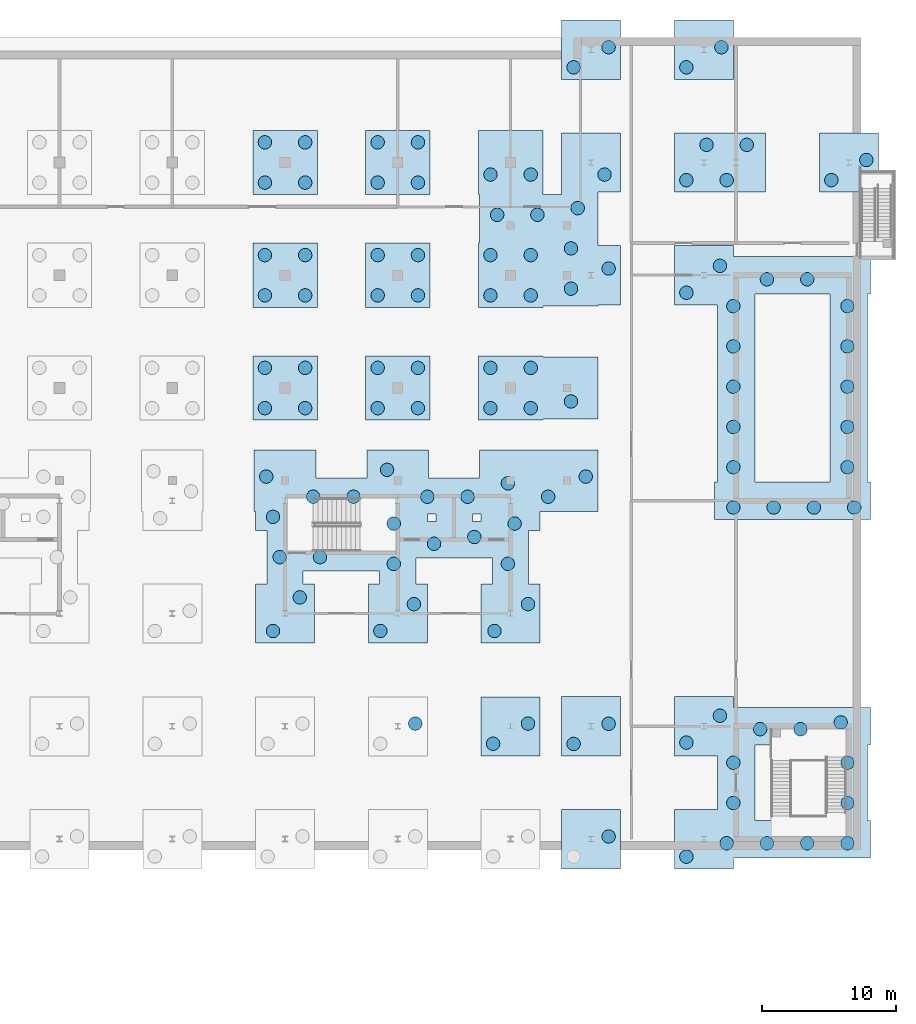
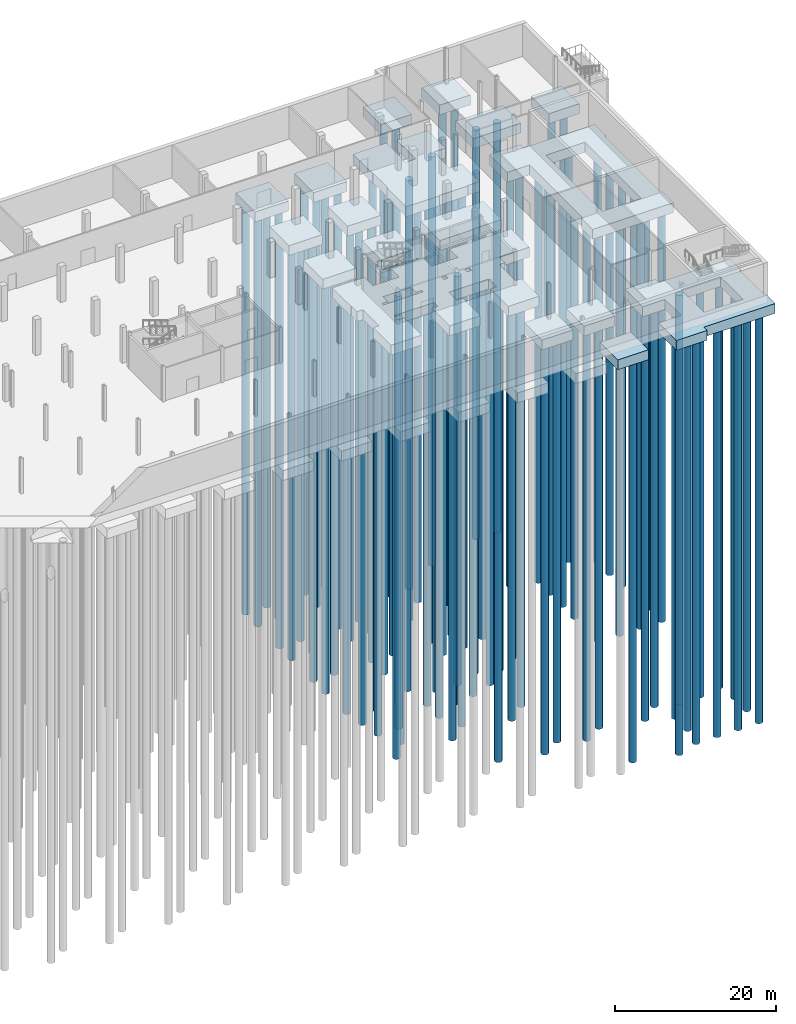
# One storey, part 4 of 29: 114 piles, 18 footings.
"""IFC4 building model written with IfcOpenShell, lengths in metres."""

from ifc_helpers import new_model, si_unit, direction, frame, origin, origin_2d, place, context, subcontext, project, spatial, polyline, circle, outline, extrude, material, type_object, element, save


model = new_model("IFC4")

# Units and contexts
model_context = context("Model", 3, precision=1e-05, world=origin(), true_north=direction((0.0, 1.0)))
body_context = subcontext(model_context, "Body", "Model", "MODEL_VIEW")
ifc_project = project(units=[si_unit("LENGTHUNIT", "METRE"), si_unit("AREAUNIT", "SQUARE_METRE"), si_unit("VOLUMEUNIT", "CUBIC_METRE"), si_unit("PLANEANGLEUNIT", "RADIAN"), si_unit("MASSUNIT", "GRAM", prefix="KILO")], contexts=[model_context])

# Site, building, storey
site_placement = place(None, origin())
site = spatial("IfcSite", under=ifc_project, at=site_placement, CompositionType="ELEMENT")
building_placement = place(site_placement, origin())
building = spatial("IfcBuilding", under=site, at=building_placement, Name="Cresset Court Congress Hotel", CompositionType="ELEMENT")
storey_placement = place(building_placement, frame((0.0, 0.0, -5.39990234375)))
storey = spatial("IfcBuildingStorey", under=building, at=storey_placement, Name="B1", CompositionType="ELEMENT", Elevation=-5.39990234375)

# Piles
ifc_material_1 = material(Name="Concrete C35", Category="concrete")
pile_type = type_object("IfcPileType", Name="Bored pile D1000", PredefinedType="BORED", material=ifc_material_1)
for number, where, z_axis, x_axis, name in (
    (1, (132.89990234375, 32.10009765625, -2.60009765625), (0.0, 0.0, -1.0), (1.0, 0.0, 0.0), "Pile 098-1"),
    (2, (135.89990234375, 32.10009765625, -2.60009765625), (0.0, 0.0, -1.0), (1.0, 0.0, 0.0), "Pile 098-2"),
    (3, (132.89990234375, 35.10009765625, -2.60009765625), (0.0, 0.0, -1.0), (1.0, 0.0, 0.0), "Pile 098-3"),
    (4, (135.89990234375, 35.10009765625, -2.60009765625), (0.0, 0.0, -1.0), (1.0, 0.0, 0.0), "Pile 098-4"),
    (5, (132.89990234375, 40.5, -2.60009765625), (0.0, 0.0, -1.0), (1.0, 0.0, 0.0), "Pile 099-1"),
    (6, (135.89990234375, 40.5, -2.60009765625), (0.0, 0.0, -1.0), (1.0, 0.0, 0.0), "Pile 099-2"),
    (7, (132.89990234375, 43.5, -2.60009765625), (0.0, 0.0, -1.0), (1.0, 0.0, 0.0), "Pile 099-3"),
    (8, (135.89990234375, 43.5, -2.60009765625), (0.0, 0.0, -1.0), (1.0, 0.0, 0.0), "Pile 099-4"),
    (9, (132.89990234375, 48.89990234375, -2.60009765625), (0.0, 0.0, -1.0), (1.0, 0.0, 0.0), "Pile 100-1"),
    (10, (135.89990234375, 48.89990234375, -2.60009765625), (0.0, 0.0, -1.0), (1.0, 0.0, 0.0), "Pile 100-2"),
    (11, (132.89990234375, 51.89990234375, -2.60009765625), (0.0, 0.0, -1.0), (1.0, 0.0, 0.0), "Pile 100-3"),
    (12, (135.89990234375, 51.89990234375, -2.60009765625), (0.0, 0.0, -1.0), (1.0, 0.0, 0.0), "Pile 100-4"),
    (13, (133.5, 15.5, -2.60009765625), (0.0, 0.0, -1.0), (1.0, 0.0, 0.0), "Pile 101-1"),
    (14, (141.5, 15.5, -2.60009765625), (0.0, 0.0, -1.0), (1.0, 0.0, 0.0), "Pile 101-2"),
    (15, (150.0, 15.5, -2.60009765625), (0.0, 0.0, -1.0), (1.0, 0.0, 0.0), "Pile 101-3"),
    (16, (144.0, 17.5, -2.60009765625), (0.0, 0.0, -1.0), (1.0, 0.0, 0.0), "Pile 101-4"),
    (17, (152.5, 17.5, -2.60009765625), (0.0, 0.0, -1.0), (1.0, 0.0, 0.0), "Pile 101-5"),
    (18, (135.5, 18.0, -2.60009765625), (0.0, 0.0, -1.0), (1.0, 0.0, 0.0), "Pile 101-6"),
    (19, (142.5, 20.5, -2.60009765625), (0.0, 0.0, -1.0), (1.0, 0.0, 0.0), "Pile 101-7"),
    (20, (151.0, 20.5, -2.60009765625), (0.0, 0.0, -1.0), (1.0, 0.0, 0.0), "Pile 101-8"),
    (21, (134.0, 21.0, -2.60009765625), (0.0, 0.0, -1.0), (1.0, 0.0, 0.0), "Pile 101-9"),
    (22, (137.0, 21.0, -2.60009765625), (0.0, 0.0, -1.0), (1.0, 0.0, 0.0), "Pile 101-10"),
    (23, (145.5, 22.0, -2.60009765625), (0.0, 0.0, -1.0), (1.0, 0.0, 0.0), "Pile 101-11"),
    (24, (148.5, 22.5, -2.60009765625), (0.0, 0.0, -1.0), (1.0, 0.0, 0.0), "Pile 101-12"),
    (25, (142.5, 23.5, -2.60009765625), (0.0, 0.0, -1.0), (1.0, 0.0, 0.0), "Pile 101-13"),
    (26, (151.5, 23.5, -2.60009765625), (0.0, 0.0, -1.0), (1.0, 0.0, 0.0), "Pile 101-14"),
    (27, (133.5, 24.0, -2.60009765625), (0.0, 0.0, -1.0), (1.0, 0.0, 0.0), "Pile 101-15"),
    (28, (136.5, 25.5, -2.60009765625), (0.0, 0.0, -1.0), (1.0, 0.0, 0.0), "Pile 101-16"),
    (29, (139.5, 25.5, -2.60009765625), (0.0, 0.0, -1.0), (1.0, 0.0, 0.0), "Pile 101-17"),
    (30, (145.0, 25.5, -2.60009765625), (0.0, 0.0, -1.0), (1.0, 0.0, 0.0), "Pile 101-18"),
    (31, (148.0, 25.5, -2.60009765625), (0.0, 0.0, -1.0), (1.0, 0.0, 0.0), "Pile 101-19"),
    (32, (154.0, 25.5, -2.60009765625), (0.0, 0.0, -1.0), (1.0, 0.0, 0.0), "Pile 101-20"),
    (33, (151.0, 26.5, -2.60009765625), (0.0, 0.0, -1.0), (1.0, 0.0, 0.0), "Pile 101-21"),
    (34, (133.0, 27.0, -2.60009765625), (0.0, 0.0, -1.0), (1.0, 0.0, 0.0), "Pile 101-22"),
    (35, (156.800048828125, 27.0, -2.60009765625), (0.0, 0.0, -1.0), (1.0, 0.0, 0.0), "Pile 101-23"),
    (36, (142.0, 27.5, -2.60009765625), (0.0, 0.0, -1.0), (1.0, 0.0, 0.0), "Pile 101-24"),
    (37, (141.300048828125, 32.10009765625, -2.60009765625), (0.0, 0.0, -1.0), (1.0, 0.0, 0.0), "Pile 104-1"),
    (38, (144.300048828125, 32.10009765625, -2.60009765625), (0.0, 0.0, -1.0), (1.0, 0.0, 0.0), "Pile 104-2"),
    (39, (141.300048828125, 35.10009765625, -2.60009765625), (0.0, 0.0, -1.0), (1.0, 0.0, 0.0), "Pile 104-3"),
    (40, (144.300048828125, 35.10009765625, -2.60009765625), (0.0, 0.0, -1.0), (1.0, 0.0, 0.0), "Pile 104-4"),
    (41, (141.300048828125, 40.5, -2.60009765625), (0.0, 0.0, -1.0), (1.0, 0.0, 0.0), "Pile 105-1"),
    (42, (144.300048828125, 40.5, -2.60009765625), (0.0, 0.0, -1.0), (1.0, 0.0, 0.0), "Pile 105-2"),
    (43, (141.300048828125, 43.5, -2.60009765625), (0.0, 0.0, -1.0), (1.0, 0.0, 0.0), "Pile 105-3"),
    (44, (144.300048828125, 43.5, -2.60009765625), (0.0, 0.0, -1.0), (1.0, 0.0, 0.0), "Pile 105-4"),
    (45, (141.300048828125, 48.89990234375, -2.60009765625), (0.0, 0.0, -1.0), (1.0, 0.0, 0.0), "Pile 106-1"),
    (46, (144.300048828125, 48.89990234375, -2.60009765625), (0.0, 0.0, -1.0), (1.0, 0.0, 0.0), "Pile 106-2"),
    (47, (141.300048828125, 51.89990234375, -2.60009765625), (0.0, 0.0, -1.0), (1.0, 0.0, 0.0), "Pile 106-3"),
    (48, (144.300048828125, 51.89990234375, -2.60009765625), (0.0, 0.0, -1.0), (1.0, 0.0, 0.0), "Pile 106-4"),
    (49, (144.10009765625, 8.60009765625, -2.60009765625), (0.0, 0.0, -1.0), (1.0, 0.0, 0.0), "Pile 108-2"),
    (50, (149.699951171875, 32.10009765625, -2.60009765625), (0.0, 0.0, -1.0), (1.0, 0.0, 0.0), "Pile 109-1"),
    (51, (152.699951171875, 32.10009765625, -2.60009765625), (0.0, 0.0, -1.0), (1.0, 0.0, 0.0), "Pile 109-2"),
    (52, (155.699951171875, 32.60009765625, -2.60009765625), (0.0, 0.0, -1.0), (1.0, 0.0, 0.0), "Pile 109-3"),
    (53, (149.699951171875, 35.10009765625, -2.60009765625), (0.0, 0.0, -1.0), (1.0, 0.0, 0.0), "Pile 109-4"),
    (54, (152.699951171875, 35.10009765625, -2.60009765625), (0.0, 0.0, -1.0), (1.0, 0.0, 0.0), "Pile 109-5"),
    (55, (149.699951171875, 40.5, -2.60009765625), (0.0, 0.0, -1.0), (1.0, 0.0, 0.0), "Pile 110-1"),
    (56, (152.699951171875, 40.5, -2.60009765625), (0.0, 0.0, -1.0), (1.0, 0.0, 0.0), "Pile 110-2"),
    (57, (155.699951171875, 41.0, -2.60009765625), (0.0, 0.0, -1.0), (1.0, 0.0, 0.0), "Pile 110-3"),
    (58, (158.50341796875, 42.5, -2.60009765625), (0.0, 0.0, -1.0), (1.0, 0.0, 0.0), "Pile 110-4"),
    (59, (149.699951171875, 43.5, -2.60009765625), (0.0, 0.0, -1.0), (1.0, 0.0, 0.0), "Pile 110-5"),
    (60, (152.699951171875, 43.5, -2.60009765625), (0.0, 0.0, -1.0), (1.0, 0.0, 0.0), "Pile 110-6"),
    (61, (155.699951171875, 44.0, -2.60009765625), (0.0, 0.0, -1.0), (1.0, 0.0, 0.0), "Pile 110-7"),
    (62, (150.199951171875, 46.5, -2.60009765625), (0.0, 0.0, -1.0), (1.0, 0.0, 0.0), "Pile 110-8"),
    (63, (153.199951171875, 46.5, -2.60009765625), (0.0, 0.0, -1.0), (1.0, 0.0, 0.0), "Pile 110-9"),
    (64, (156.199951171875, 47.0, -2.60009765625), (0.0, 0.0, -1.0), (1.0, 0.0, 0.0), "Pile 110-10"),
    (65, (149.699951171875, 49.5, -2.60009765625), (0.0, 0.0, -1.0), (1.0, 0.0, 0.0), "Pile 110-11"),
    (66, (152.699951171875, 49.5, -2.60009765625), (0.0, 0.0, -1.0), (1.0, 0.0, 0.0), "Pile 110-12"),
    (67, (158.199951171875, 49.5, -2.60009765625), (0.0, 0.0, -1.0), (1.0, 0.0, 0.0), "Pile 110-13"),
    (68, (149.89990234375, 7.10009765625, -2.60009765625), (0.0, 0.0, -1.0), (1.0, 0.0, 0.0), "Pile 112-1"),
    (69, (152.5, 8.60009765625, -2.60009765625), (0.0, 0.0, -1.0), (1.0, 0.0, 0.0), "Pile 112-2"),
    (70, (158.50341796875, 0.18603515625, -2.60009765625), (0.0, 0.0, -1.0), (1.0, 0.0, 0.0), "Pile 113-2"),
    (71, (155.896484375, 7.0859375, -2.60009765625), (0.0, 0.0, -1.0), (1.0, 0.0, 0.0), "Pile 114-1"),
    (72, (158.50341796875, 8.5859375, -2.60009765625), (0.0, 0.0, -1.0), (1.0, 0.0, 0.0), "Pile 114-2"),
    (73, (155.896484375, 57.486083984375, -2.60009765625), (0.0, 0.0, -1.0), (1.0, 0.0, 0.0), "Pile 115-1"),
    (74, (158.50341796875, 58.986083984375, -2.60009765625), (0.0, 0.0, -1.0), (1.0, 0.0, 0.0), "Pile 115-2"),
    (75, (164.29638671875, -1.31396484375, -2.60009765625), (0.0, 0.0, -1.0), (1.0, 0.0, 0.0), "Pile 116-1"),
    (76, (167.29638671875, -0.31396484375, -2.60009765625), (0.0, 0.0, -1.0), (1.0, 0.0, 0.0), "Pile 116-2"),
    (77, (170.29638671875, -0.31396484375, -2.60009765625), (0.0, 0.0, -1.0), (1.0, 0.0, 0.0), "Pile 116-3"),
    (78, (173.29638671875, -0.31396484375, -2.60009765625), (0.0, 0.0, -1.0), (1.0, 0.0, 0.0), "Pile 116-4"),
    (79, (176.29638671875, -0.31396484375, -2.60009765625), (0.0, 0.0, -1.0), (1.0, 0.0, 0.0), "Pile 116-5"),
    (80, (167.79638671875, 2.68603515625, -2.60009765625), (0.0, 0.0, -1.0), (1.0, 0.0, 0.0), "Pile 116-6"),
    (81, (176.29638671875, 2.68603515625, -2.60009765625), (0.0, 0.0, -1.0), (1.0, 0.0, 0.0), "Pile 116-7"),
    (82, (167.79638671875, 5.68603515625, -2.60009765625), (0.0, 0.0, -1.0), (1.0, 0.0, 0.0), "Pile 116-8"),
    (83, (176.29638671875, 5.68603515625, -2.60009765625), (0.0, 0.0, -1.0), (1.0, 0.0, 0.0), "Pile 116-9"),
    (84, (164.29638671875, 7.18603515625, -2.60009765625), (0.0, 0.0, -1.0), (1.0, 0.0, 0.0), "Pile 116-10"),
    (85, (169.79638671875, 8.18603515625, -2.60009765625), (0.0, 0.0, -1.0), (1.0, 0.0, 0.0), "Pile 116-11"),
    (86, (172.79638671875, 8.18603515625, -2.60009765625), (0.0, 0.0, -1.0), (1.0, 0.0, 0.0), "Pile 116-12"),
    (87, (175.79638671875, 8.68603515625, -2.60009765625), (0.0, 0.0, -1.0), (1.0, 0.0, 0.0), "Pile 116-13"),
    (88, (166.79638671875, 9.18603515625, -2.60009765625), (0.0, 0.0, -1.0), (1.0, 0.0, 0.0), "Pile 116-14"),
    (89, (167.79638671875, 24.699951171875, -2.60009765625), (0.0, 0.0, -1.0), (1.0, 0.0, 0.0), "Pile 117-1"),
    (90, (170.79638671875, 24.699951171875, -2.60009765625), (0.0, 0.0, -1.0), (1.0, 0.0, 0.0), "Pile 117-2"),
    (91, (173.79638671875, 24.699951171875, -2.60009765625), (0.0, 0.0, -1.0), (1.0, 0.0, 0.0), "Pile 117-3"),
    (92, (176.79638671875, 24.699951171875, -2.60009765625), (0.0, 0.0, -1.0), (1.0, 0.0, 0.0), "Pile 117-4"),
    (93, (167.79638671875, 27.699951171875, -2.60009765625), (0.0, 0.0, -1.0), (1.0, 0.0, 0.0), "Pile 117-5"),
    (94, (176.29638671875, 27.699951171875, -2.60009765625), (0.0, 0.0, -1.0), (1.0, 0.0, 0.0), "Pile 117-6"),
    (95, (167.79638671875, 30.699951171875, -2.60009765625), (0.0, 0.0, -1.0), (1.0, 0.0, 0.0), "Pile 117-7"),
    (96, (176.29638671875, 30.699951171875, -2.60009765625), (0.0, 0.0, -1.0), (1.0, 0.0, 0.0), "Pile 117-8"),
    (97, (167.79638671875, 33.699951171875, -2.60009765625), (0.0, 0.0, -1.0), (1.0, 0.0, 0.0), "Pile 117-9"),
    (98, (176.29638671875, 33.699951171875, -2.60009765625), (0.0, 0.0, -1.0), (1.0, 0.0, 0.0), "Pile 117-10"),
    (99, (167.79638671875, 36.699951171875, -2.60009765625), (0.0, 0.0, -1.0), (1.0, 0.0, 0.0), "Pile 117-11"),
    (100, (176.29638671875, 36.699951171875, -2.60009765625), (0.0, 0.0, -1.0), (1.0, 0.0, 0.0), "Pile 117-12"),
    (101, (167.79638671875, 39.699951171875, -2.60009765625), (0.0, 0.0, -1.0), (1.0, 0.0, 0.0), "Pile 117-13"),
    (102, (176.29638671875, 39.699951171875, -2.60009765625), (0.0, 0.0, -1.0), (1.0, 0.0, 0.0), "Pile 117-14"),
    (103, (164.29638671875, 40.699951171875, -2.60009765625), (0.0, 0.0, -1.0), (1.0, 0.0, 0.0), "Pile 117-15"),
    (104, (170.29638671875, 41.699951171875, -2.60009765625), (0.0, 0.0, -1.0), (1.0, 0.0, 0.0), "Pile 117-16"),
    (105, (173.29638671875, 41.699951171875, -2.60009765625), (0.0, 0.0, -1.0), (1.0, 0.0, 0.0), "Pile 117-17"),
    (106, (166.79638671875, 42.699951171875, -2.60009765625), (0.0, 0.0, -1.0), (1.0, 0.0, 0.0), "Pile 117-18"),
    (107, (164.29638671875, 49.0859375, -2.60009765625), (0.0, 0.0, -1.0), (1.0, 0.0, 0.0), "Pile 118-1"),
    (108, (167.29638671875, 49.0859375, -2.60009765625), (0.0, 0.0, -1.0), (1.0, 0.0, 0.0), "Pile 118-2"),
    (109, (165.79638671875, 51.714111328125, -2.60009765625), (0.0, 0.0, -1.0), (1.0, 0.0, 0.0), "Pile 118-3"),
    (110, (168.79638671875, 51.714111328125, -2.60009765625), (0.0, 0.0, -1.0), (1.0, 0.0, 0.0), "Pile 118-4"),
    (111, (164.29638671875, 57.486083984375, -2.60009765625), (0.0, 0.0, -1.0), (1.0, 0.0, 0.0), "Pile 119-1"),
    (112, (166.903564453125, 58.986083984375, -2.60009765625), (0.0, 0.0, -1.0), (1.0, 0.0, 0.0), "Pile 119-2"),
    (113, (175.096435546875, 49.0859375, -2.60009765625), (0.0, 0.0, -1.0), (1.0, 0.0, 0.0), "Pile 120-1"),
    (114, (177.70361328125, 50.5859375, -2.60009765625), (0.0, 0.0, -1.0), (1.0, 0.0, 0.0), "Pile 120-2"),
):
    element("IfcPile", number, at=place(storey_placement, frame(where, z_axis=z_axis, x_axis=x_axis)), inside=storey, type_object=pile_type, Name=name, PredefinedType="BORED", context=body_context, shape_type="SweptSolid", body=[
        extrude(circle(Radius=0.5, at=origin_2d()), origin(), (0.0, 0.0, 1.0), 62.0),
    ])

# Footings
ifc_material_2 = material(Name="Concrete C35", Category="concrete")
footing_type_1 = type_object("IfcFootingType", Name="Pile cap 4.41x4.43, 2 piles", PredefinedType="PILE_CAP", material=ifc_material_2)
footing_1_placement = place(storey_placement, frame((0.0, 0.0, -2.7001953125)))
element("IfcFooting", 115, at=footing_1_placement, inside=storey, type_object=footing_type_1, Name="Pile cap PC113", PredefinedType="PILE_CAP", context=body_context, shape_type="SweptSolid", body=[
    extrude(outline(polyline([(159.403076171875, 2.214111328125), (159.403076171875, -2.214111328125), (154.99609375, -2.214111328125), (154.99609375, 2.214111328125), (159.403076171875, 2.214111328125)])), origin(), (0.0, 0.0, 1.0), 1.5),
])
footing_2_placement = place(storey_placement, frame((0.0, 0.0, -2.7001953125)))
element("IfcFooting", 116, at=footing_2_placement, inside=storey, type_object=footing_type_1, Name="Pile cap PC114", PredefinedType="PILE_CAP", context=body_context, shape_type="SweptSolid", body=[
    extrude(outline(polyline([(159.403076171875, 6.18603515625), (154.99609375, 6.18603515625), (154.99609375, 10.614013671875), (159.403076171875, 10.614013671875), (159.403076171875, 6.18603515625)])), origin(), (0.0, 0.0, 1.0), 1.5),
])
footing_3_placement = place(storey_placement, frame((0.0, 0.0, -2.7001953125)))
element("IfcFooting", 117, at=footing_3_placement, inside=storey, type_object=footing_type_1, Name="Pile cap PC115", PredefinedType="PILE_CAP", context=body_context, shape_type="SweptSolid", body=[
    extrude(outline(polyline([(159.403076171875, 56.5859375), (154.99609375, 56.5859375), (154.99609375, 61.013916015625), (159.403076171875, 61.013916015625), (159.403076171875, 56.5859375)])), origin(), (0.0, 0.0, 1.0), 1.5),
])
footing_4_placement = place(storey_placement, frame((0.0, 0.0, -2.7001953125)))
element("IfcFooting", 118, at=footing_4_placement, inside=storey, type_object=footing_type_1, Name="Pile cap PC119", PredefinedType="PILE_CAP", context=body_context, shape_type="SweptSolid", body=[
    extrude(outline(polyline([(167.802978515625, 56.5859375), (163.39697265625, 56.5859375), (163.39697265625, 61.013916015625), (167.802978515625, 61.013916015625), (167.802978515625, 56.5859375)])), origin(), (0.0, 0.0, 1.0), 1.5),
])
footing_5_placement = place(storey_placement, frame((0.0, 0.0, -2.7001953125)))
element("IfcFooting", 119, at=footing_5_placement, inside=storey, type_object=footing_type_1, Name="Pile cap PC120", PredefinedType="PILE_CAP", context=body_context, shape_type="SweptSolid", body=[
    extrude(outline(polyline([(178.60302734375, 48.18603515625), (174.197021484375, 48.18603515625), (174.197021484375, 52.614013671875), (178.60302734375, 52.614013671875), (178.60302734375, 48.18603515625)])), origin(), (0.0, 0.0, 1.0), 1.5),
])
ifc_material_3 = material(Name="Concrete C35", Category="concrete")
footing_type_2 = type_object("IfcFootingType", Name="Pile cap 4.4x4.4, 2 piles", PredefinedType="PILE_CAP", material=ifc_material_3)
footing_6_placement = place(storey_placement, frame((0.0, 0.0, -2.7001953125)))
element("IfcFooting", 120, at=footing_6_placement, inside=storey, type_object=footing_type_2, Name="Pile cap PC112", PredefinedType="PILE_CAP", context=body_context, shape_type="SweptSolid", body=[
    extrude(outline(polyline([(153.39990234375, 6.199951171875), (149.0, 6.199951171875), (149.0, 10.60009765625), (153.39990234375, 10.60009765625), (153.39990234375, 6.199951171875)])), origin(), (0.0, 0.0, 1.0), 1.5),
])
ifc_material_4 = material(Name="Concrete C35", Category="concrete")
footing_type_3 = type_object("IfcFootingType", Name="Pile cap 4.8x4.8, 4 piles", PredefinedType="PILE_CAP", material=ifc_material_4)
footing_7_placement = place(storey_placement, frame((0.0, 0.0, -2.7001953125)))
element("IfcFooting", 121, at=footing_7_placement, inside=storey, type_object=footing_type_3, Name="Pile cap PC098", PredefinedType="PILE_CAP", context=body_context, shape_type="SweptSolid", body=[
    extrude(outline(polyline([(136.800048828125, 31.199951171875), (132.0, 31.199951171875), (132.0, 36.0), (136.800048828125, 36.0), (136.800048828125, 31.199951171875)])), origin(), (0.0, 0.0, 1.0), 1.5),
])
footing_8_placement = place(storey_placement, frame((0.0, 0.0, -2.7001953125)))
element("IfcFooting", 122, at=footing_8_placement, inside=storey, type_object=footing_type_3, Name="Pile cap PC099", PredefinedType="PILE_CAP", context=body_context, shape_type="SweptSolid", body=[
    extrude(outline(polyline([(136.800048828125, 44.39990234375), (136.800048828125, 39.60009765625), (132.0, 39.60009765625), (132.0, 44.39990234375), (136.800048828125, 44.39990234375)])), origin(), (0.0, 0.0, 1.0), 1.5),
])
footing_9_placement = place(storey_placement, frame((0.0, 0.0, -2.7001953125)))
element("IfcFooting", 123, at=footing_9_placement, inside=storey, type_object=footing_type_3, Name="Pile cap PC100", PredefinedType="PILE_CAP", context=body_context, shape_type="SweptSolid", body=[
    extrude(outline(polyline([(136.800048828125, 48.0), (132.0, 48.0), (132.0, 52.800048828125), (136.800048828125, 52.800048828125), (136.800048828125, 48.0)])), origin(), (0.0, 0.0, 1.0), 1.5),
])
footing_10_placement = place(storey_placement, frame((0.0, 0.0, -2.7001953125)))
element("IfcFooting", 124, at=footing_10_placement, inside=storey, type_object=footing_type_3, Name="Pile cap PC104", PredefinedType="PILE_CAP", context=body_context, shape_type="SweptSolid", body=[
    extrude(outline(polyline([(145.199951171875, 31.199951171875), (140.39990234375, 31.199951171875), (140.39990234375, 36.0), (145.199951171875, 36.0), (145.199951171875, 31.199951171875)])), origin(), (0.0, 0.0, 1.0), 1.5),
])
footing_11_placement = place(storey_placement, frame((0.0, 0.0, -2.7001953125)))
element("IfcFooting", 125, at=footing_11_placement, inside=storey, type_object=footing_type_3, Name="Pile cap PC105", PredefinedType="PILE_CAP", context=body_context, shape_type="SweptSolid", body=[
    extrude(outline(polyline([(145.199951171875, 44.39990234375), (145.199951171875, 39.60009765625), (140.39990234375, 39.60009765625), (140.39990234375, 44.39990234375), (145.199951171875, 44.39990234375)])), origin(), (0.0, 0.0, 1.0), 1.5),
])
footing_12_placement = place(storey_placement, frame((0.0, 0.0, -2.7001953125)))
element("IfcFooting", 126, at=footing_12_placement, inside=storey, type_object=footing_type_3, Name="Pile cap PC106", PredefinedType="PILE_CAP", context=body_context, shape_type="SweptSolid", body=[
    extrude(outline(polyline([(145.199951171875, 48.0), (140.39990234375, 48.0), (140.39990234375, 52.800048828125), (145.199951171875, 52.800048828125), (145.199951171875, 48.0)])), origin(), (0.0, 0.0, 1.0), 1.5),
])
ifc_material_5 = material(Name="Concrete C35", Category="concrete")
footing_type_4 = type_object("IfcFootingType", Name="Pile cap 6.81x4.43, 4 piles", PredefinedType="PILE_CAP", material=ifc_material_5)
footing_13_placement = place(storey_placement, frame((0.0, 0.0, -2.7001953125)))
element("IfcFooting", 127, at=footing_13_placement, inside=storey, type_object=footing_type_4, Name="Pile cap PC118", PredefinedType="PILE_CAP", context=body_context, shape_type="SweptSolid", body=[
    extrude(outline(polyline([(163.39697265625, 48.18603515625), (163.39697265625, 52.614013671875), (170.202880859375, 52.614013671875), (170.202880859375, 48.18603515625), (163.39697265625, 48.18603515625)])), origin(), (0.0, 0.0, 1.0), 1.5),
])
ifc_material_6 = material(Name="Concrete C35", Category="concrete")
footing_type_5 = type_object("IfcFootingType", Name="Pile cap group 124.6 m2, 13 piles", PredefinedType="PILE_CAP", material=ifc_material_6)
footing_14_placement = place(storey_placement, frame((0.0, 0.0, -2.7001953125)))
element("IfcFooting", 128, at=footing_14_placement, inside=storey, type_object=footing_type_5, Name="Pile cap PC110", PredefinedType="PILE_CAP", context=body_context, shape_type="SweptSolid", body=[
    extrude(outline(polyline([(148.89990234375, 48.0), (148.800048828125, 48.0), (148.800048828125, 52.800048828125), (153.60009765625, 52.800048828125), (153.60009765625, 48.0), (154.99609375, 48.0), (154.99609375, 52.614013671875), (159.403076171875, 52.614013671875), (159.403076171875, 48.18603515625), (157.699951171875, 48.18603515625), (157.699951171875, 44.214111328125), (159.403076171875, 44.214111328125), (159.403076171875, 39.785888671875), (157.699951171875, 39.785888671875), (157.699951171875, 39.699951171875), (153.60009765625, 39.699951171875), (153.60009765625, 39.60009765625), (148.800048828125, 39.60009765625), (148.800048828125, 44.39990234375), (148.89990234375, 44.39990234375), (148.89990234375, 48.0)])), origin(), (0.0, 0.0, 1.0), 1.5),
])
ifc_material_7 = material(Name="Concrete C35", Category="concrete")
footing_type_6 = type_object("IfcFootingType", Name="Pile cap group 125.5 m2, 14 piles", PredefinedType="PILE_CAP", material=ifc_material_7)
footing_15_placement = place(storey_placement, frame((0.0, 0.0, -2.7001953125)))
element("IfcFooting", 129, at=footing_15_placement, inside=storey, type_object=footing_type_6, Name="Pile cap PC116", PredefinedType="PILE_CAP", context=body_context, shape_type="SweptSolid", body=[
    extrude(outline(polyline([(166.60009765625, 6.18603515625), (163.39697265625, 6.18603515625), (163.39697265625, 10.614013671875), (167.802978515625, 10.614013671875), (167.802978515625, 9.800048828125), (178.0, 9.800048828125), (178.0, 7.0), (177.800048828125, 7.0), (177.800048828125, 1.39990234375), (178.0, 1.39990234375), (178.0, -1.39990234375), (167.802978515625, -1.39990234375), (167.802978515625, -2.214111328125), (163.39697265625, -2.214111328125), (163.39697265625, 2.214111328125), (166.60009765625, 2.214111328125), (166.60009765625, 6.18603515625)]), holes=[polyline([(169.39990234375, 1.39990234375), (175.0, 1.39990234375), (175.0, 7.0), (169.39990234375, 7.0), (169.39990234375, 1.39990234375)])]), origin(), (0.0, 0.0, 1.0), 1.5),
])
ifc_material_8 = material(Name="Concrete C35", Category="concrete")
footing_type_7 = type_object("IfcFootingType", Name="Pile cap group 158 m2, 18 piles", PredefinedType="PILE_CAP", material=ifc_material_8)
footing_16_placement = place(storey_placement, frame((0.0, 0.0, -2.7001953125)))
element("IfcFooting", 130, at=footing_16_placement, inside=storey, type_object=footing_type_7, Name="Pile cap PC117", PredefinedType="PILE_CAP", context=body_context, shape_type="SweptSolid", body=[
    extrude(outline(polyline([(166.60009765625, 39.785888671875), (163.39697265625, 39.785888671875), (163.39697265625, 44.214111328125), (167.802978515625, 44.214111328125), (167.802978515625, 43.39990234375), (178.0, 43.39990234375), (178.0, 40.60009765625), (177.800048828125, 40.60009765625), (177.800048828125, 26.60009765625), (178.0, 26.60009765625), (178.0, 23.800048828125), (166.39990234375, 23.800048828125), (166.39990234375, 26.60009765625), (166.60009765625, 26.60009765625), (166.60009765625, 39.785888671875)]), holes=[polyline([(169.39990234375, 40.60009765625), (169.39990234375, 26.60009765625), (175.0, 26.60009765625), (175.0, 40.60009765625), (169.39990234375, 40.60009765625)])]), origin(), (0.0, 0.0, 1.0), 1.5),
])
ifc_material_9 = material(Name="Concrete C35", Category="concrete")
footing_type_8 = type_object("IfcFootingType", Name="Pile cap group 243.5 m2, 24 piles", PredefinedType="PILE_CAP", material=ifc_material_9)
footing_17_placement = place(storey_placement, frame((0.0, 0.0, -2.7001953125)))
element("IfcFooting", 131, at=footing_17_placement, inside=storey, type_object=footing_type_8, Name="Pile cap PC101", PredefinedType="PILE_CAP", context=body_context, shape_type="SweptSolid", body=[
    extrude(outline(polyline([(133.050048828125, 23.0), (132.199951171875, 23.0), (132.199951171875, 24.39990234375), (132.10009765625, 24.39990234375), (132.10009765625, 29.0), (136.699951171875, 29.0), (136.699951171875, 26.89990234375), (140.5, 26.89990234375), (140.5, 29.0), (145.10009765625, 29.0), (145.10009765625, 26.89990234375), (148.89990234375, 26.89990234375), (148.89990234375, 29.0), (157.699951171875, 29.0), (157.699951171875, 24.39990234375), (153.39990234375, 24.39990234375), (153.39990234375, 23.0), (152.550048828125, 23.0), (152.550048828125, 19.0), (153.39990234375, 19.0), (153.39990234375, 14.60009765625), (149.0, 14.60009765625), (149.0, 19.0), (149.85009765625, 19.0), (149.85009765625, 20.949951171875), (144.14990234375, 20.949951171875), (144.14990234375, 19.0), (145.0, 19.0), (145.0, 14.60009765625), (140.60009765625, 14.60009765625), (140.60009765625, 19.0), (141.449951171875, 19.0), (141.449951171875, 19.949951171875), (135.75, 19.949951171875), (135.75, 19.0), (136.60009765625, 19.0), (136.60009765625, 14.60009765625), (132.199951171875, 14.60009765625), (132.199951171875, 19.0), (133.050048828125, 19.0), (133.050048828125, 23.0)]), holes=[polyline([(149.0, 23.64990234375), (149.0, 24.199951171875), (148.35009765625, 24.199951171875), (148.35009765625, 23.64990234375), (149.0, 23.64990234375)]), polyline([(145.64990234375, 24.199951171875), (145.0, 24.199951171875), (145.0, 23.64990234375), (145.64990234375, 23.64990234375), (145.64990234375, 24.199951171875)]), polyline([(140.60009765625, 23.0), (140.60009765625, 24.199951171875), (136.60009765625, 24.199951171875), (136.60009765625, 23.0), (135.75, 23.0), (135.75, 22.64990234375), (141.449951171875, 22.64990234375), (141.449951171875, 23.0), (140.60009765625, 23.0)])]), origin(), (0.0, 0.0, 1.0), 1.5),
])
ifc_material_10 = material(Name="Concrete C35", Category="concrete")
footing_type_9 = type_object("IfcFootingType", Name="Pile cap group 41.9 m2, 5 piles", PredefinedType="PILE_CAP", material=ifc_material_10)
footing_18_placement = place(storey_placement, frame((0.0, 0.0, -2.7001953125)))
element("IfcFooting", 132, at=footing_18_placement, inside=storey, type_object=footing_type_9, Name="Pile cap PC109", PredefinedType="PILE_CAP", context=body_context, shape_type="SweptSolid", body=[
    extrude(outline(polyline([(157.699951171875, 31.300048828125), (153.60009765625, 31.300048828125), (153.60009765625, 31.199951171875), (148.800048828125, 31.199951171875), (148.800048828125, 36.0), (153.60009765625, 36.0), (153.60009765625, 35.89990234375), (157.699951171875, 35.89990234375), (157.699951171875, 31.300048828125)])), origin(), (0.0, 0.0, 1.0), 1.5),
])

save(model, "model.ifc")
